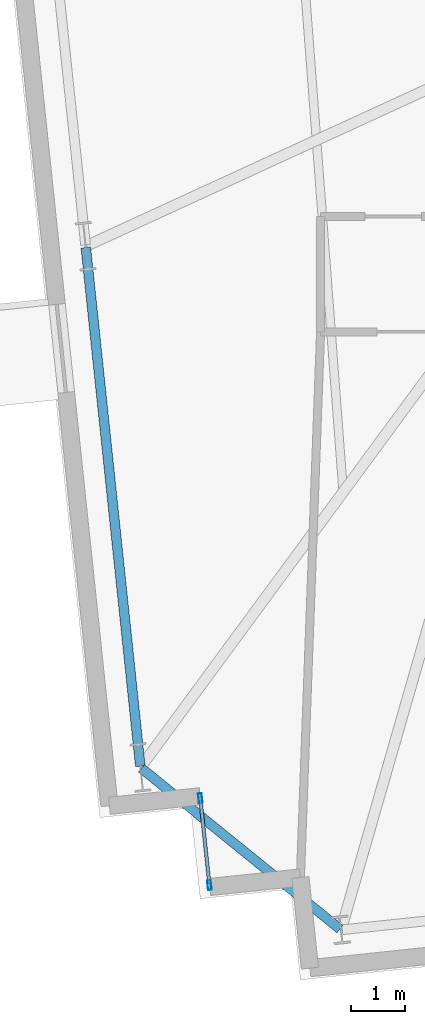
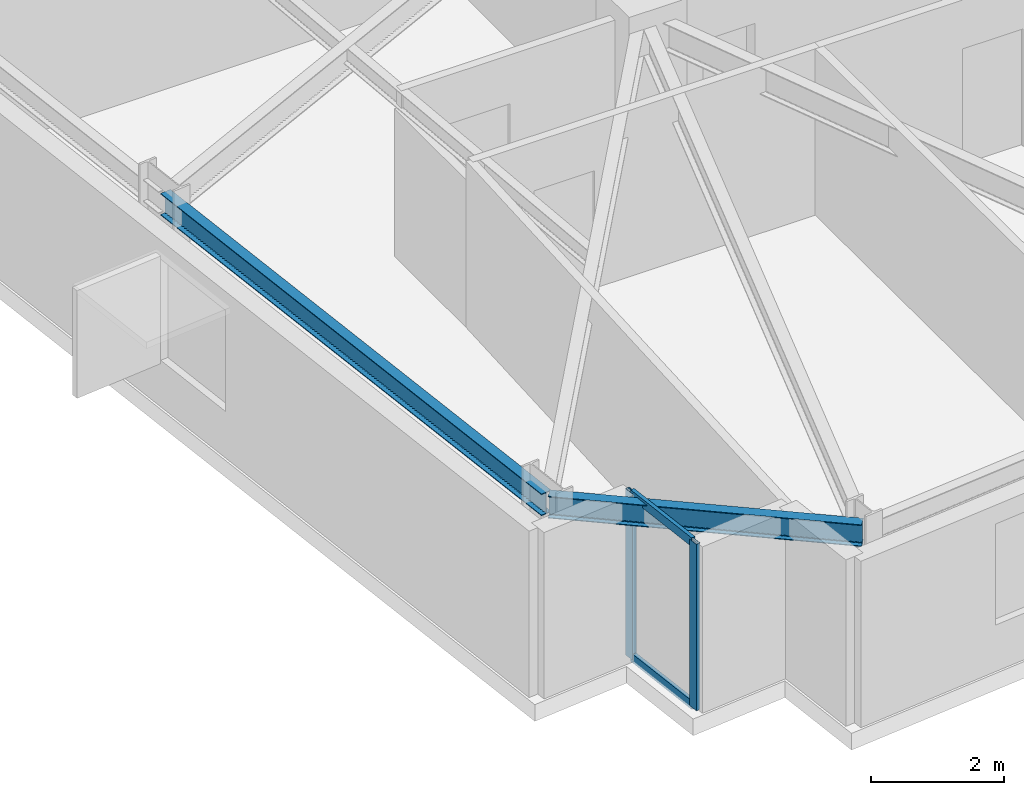
# One storey, part 4 of 17: 4 members, 2 beams, 1 element without a shape of its own.
"""IFC4 building model written with IfcOpenShell, lengths in metres."""

from ifc_helpers import new_model, si_unit, direction, frame, origin, origin_2d, place, context, subcontext, project, spatial, hollow_rectangle, i_section, extrude, material, layer, layer_set, material_profile, profile_set, type_object, element, aggregate, save


model = new_model("IFC4")

# Units and contexts
model_context = context("Model", 3, precision=1e-05, world=origin(), true_north=direction((0.0, 1.0)))
body_context = subcontext(model_context, "Body", "Model", "MODEL_VIEW")
ifc_project = project(units=[si_unit("LENGTHUNIT", "METRE"), si_unit("AREAUNIT", "SQUARE_METRE"), si_unit("VOLUMEUNIT", "CUBIC_METRE"), si_unit("PLANEANGLEUNIT", "RADIAN"), si_unit("MASSUNIT", "GRAM", prefix="KILO")], contexts=[model_context])

# Site, building, storey
site_placement = place(None, origin())
site = spatial("IfcSite", under=ifc_project, at=site_placement, CompositionType="ELEMENT")
building_placement = place(site_placement, origin())
building = spatial("IfcBuilding", under=site, at=building_placement, Name="Qobustan Lattice House", CompositionType="ELEMENT")
storey_placement = place(building_placement, frame((0.0, 0.0, 112.5)))
storey = spatial("IfcBuildingStorey", under=building, at=storey_placement, Name="L31", CompositionType="ELEMENT", Elevation=112.5)

# Beams
ifc_material_1 = material(Name="Steel S355", Category="steel")
ifc_material_profile_1 = material_profile(ifc_material_1, i_section(OverallWidth=0.179931640625, OverallDepth=0.39990234375, WebThickness=0.008544921875, FlangeThickness=0.013427734375, FilletRadius=0.02099609375, at=origin_2d()), Name="IPE400")
ifc_profile_set_1 = profile_set([ifc_material_profile_1], Name="Steel S355")
beam_type = type_object("IfcBeamType", Name="BM-SPD-IPE400", PredefinedType="SPANDREL", material=ifc_profile_set_1)
beam_1_placement = place(storey_placement, frame((-27.37451171875, -6.180908203125, 2.844970703125), z_axis=(0.104527826257, -0.994521962321, 0.0), x_axis=(0.994521962321, 0.104527826257, 0.0)))
element("IfcBeam", 1, at=beam_1_placement, inside=storey, type_object=beam_type, Name="L31 perimeter spandrel W3-W4", PredefinedType="SPANDREL", context=body_context, shape_type="SweptSolid", body=[
    extrude(i_section(OverallWidth=0.179931640625, OverallDepth=0.39990234375, WebThickness=0.008544921875, FlangeThickness=0.013427734375, FilletRadius=0.02099609375, at=origin_2d()), origin(), (0.0, 0.0, 1.0), 9.71630859375),
])
beam_2_placement = place(storey_placement, frame((-26.3369140625, -15.884765625, 2.844970703125), z_axis=(0.777140911545, -0.629326627121, 0.0), x_axis=(0.629326627121, 0.777140911545, 0.0)))
element("IfcBeam", 2, at=beam_2_placement, inside=storey, type_object=beam_type, Name="L31 perimeter spandrel W4-S1", PredefinedType="SPANDREL", context=body_context, shape_type="SweptSolid", body=[
    extrude(i_section(OverallWidth=0.179931640625, OverallDepth=0.39990234375, WebThickness=0.008544921875, FlangeThickness=0.013427734375, FilletRadius=0.02099609375, at=origin_2d()), origin(), (0.0, 0.0, 1.0), 4.758544921875),
])

# Curtain wall, members
ifc_material_2 = material(Name="Anodised aluminium and low-E glazing", Category="aluminium")
ifc_layer = layer(ifc_material_2, 0.219970703125)
ifc_layer_set = layer_set([ifc_layer], Name="Anodised aluminium and low-E glazing")
curtain_wall_type = type_object("IfcCurtainWallType", Name="CW-FAC-01", PredefinedType="USERDEFINED", material=ifc_layer_set)
curtain_wall_placement = place(storey_placement, origin())
curtain_wall = element("IfcCurtainWall", 3, at=curtain_wall_placement, inside=storey, type_object=curtain_wall_type, Name="L31 serrated corner faceted glazing 3", ObjectType="CURTAIN WALL", PredefinedType="USERDEFINED")
ifc_material_3 = material(Name="Anodised aluminium EN AW-6063 T6", Category="aluminium")
ifc_material_profile_2 = material_profile(ifc_material_3, hollow_rectangle(XDim=0.070068359375, YDim=0.179931640625, WallThickness=0.00439453125, at=origin_2d()), Name="CWM-180x70")
ifc_profile_set_2 = profile_set([ifc_material_profile_2], Name="Anodised aluminium EN AW-6063 T6")
member_type_1 = type_object("IfcMemberType", Name="CWM-STD-180", PredefinedType="MULLION", material=ifc_profile_set_2)
member_1_placement = place(storey_placement, frame((-25.070068359375, -18.0615234375, 0.0), z_axis=(0.0, 0.0, 1.0), x_axis=(-0.994521878892, -0.104528620025, 0.0)))
member_1 = element("IfcMember", 4, at=member_1_placement, type_object=member_type_1, Name="CW-F1 mullion 1", PredefinedType="MULLION", context=body_context, shape_type="SweptSolid", body=[
    extrude(hollow_rectangle(XDim=0.070068359375, YDim=0.179931640625, WallThickness=0.00439453125, at=origin_2d()), origin(), (0.0, 0.0, 1.0), 3.044921875),
])
member_2_placement = place(storey_placement, frame((-25.240234375, -16.4404296875, 0.0), z_axis=(0.0, 0.0, 1.0), x_axis=(-0.994521878892, -0.104528620025, 0.0)))
member_2 = element("IfcMember", 5, at=member_2_placement, type_object=member_type_1, Name="CW-F1 mullion 2", PredefinedType="MULLION", context=body_context, shape_type="SweptSolid", body=[
    extrude(hollow_rectangle(XDim=0.070068359375, YDim=0.179931640625, WallThickness=0.00439453125, at=origin_2d()), origin(), (0.0, 0.0, 1.0), 3.044921875),
])
ifc_material_4 = material(Name="Anodised aluminium EN AW-6063 T6", Category="aluminium")
ifc_material_profile_3 = material_profile(ifc_material_4, hollow_rectangle(XDim=0.06494140625, YDim=0.159912109375, WallThickness=0.00390625, at=origin_2d()), Name="CWT-160x65")
ifc_profile_set_3 = profile_set([ifc_material_profile_3], Name="Anodised aluminium EN AW-6063 T6")
member_type_2 = type_object("IfcMemberType", Name="CWT-HOR-160", PredefinedType="USERDEFINED", material=ifc_profile_set_3)
member_3_placement = place(storey_placement, frame((-25.07373046875, -18.02685546875, 0.032470703125), z_axis=(-0.104383362594, 0.994537135362, 0.0), x_axis=(-0.994537135362, -0.104383362594, 0.0)))
member_3 = element("IfcMember", 6, at=member_3_placement, type_object=member_type_2, Name="CW-F1 transom 1.1", ObjectType="TRANSOM", PredefinedType="USERDEFINED", context=body_context, shape_type="SweptSolid", body=[
    extrude(hollow_rectangle(XDim=0.06494140625, YDim=0.159912109375, WallThickness=0.00390625, at=origin_2d()), origin(), (0.0, 0.0, 1.0), 1.56005859375),
])
member_4_placement = place(storey_placement, frame((-25.07373046875, -18.02685546875, 3.012451171875), z_axis=(-0.104383362594, 0.994537135362, 0.0), x_axis=(-0.994537135362, -0.104383362594, 0.0)))
member_4 = element("IfcMember", 7, at=member_4_placement, type_object=member_type_2, Name="CW-F1 transom 1.2", ObjectType="TRANSOM", PredefinedType="USERDEFINED", context=body_context, shape_type="SweptSolid", body=[
    extrude(hollow_rectangle(XDim=0.06494140625, YDim=0.159912109375, WallThickness=0.00390625, at=origin_2d()), origin(), (0.0, 0.0, 1.0), 1.56005859375),
])
aggregate(curtain_wall, [member_1, member_2, member_3, member_4])

save(model, "model.ifc")
